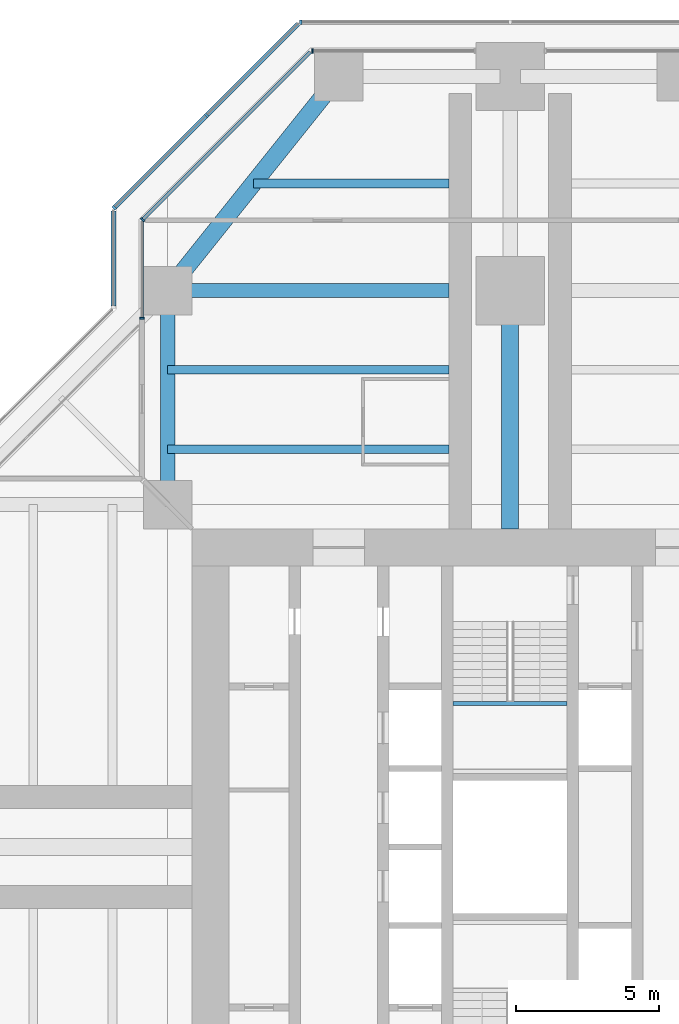
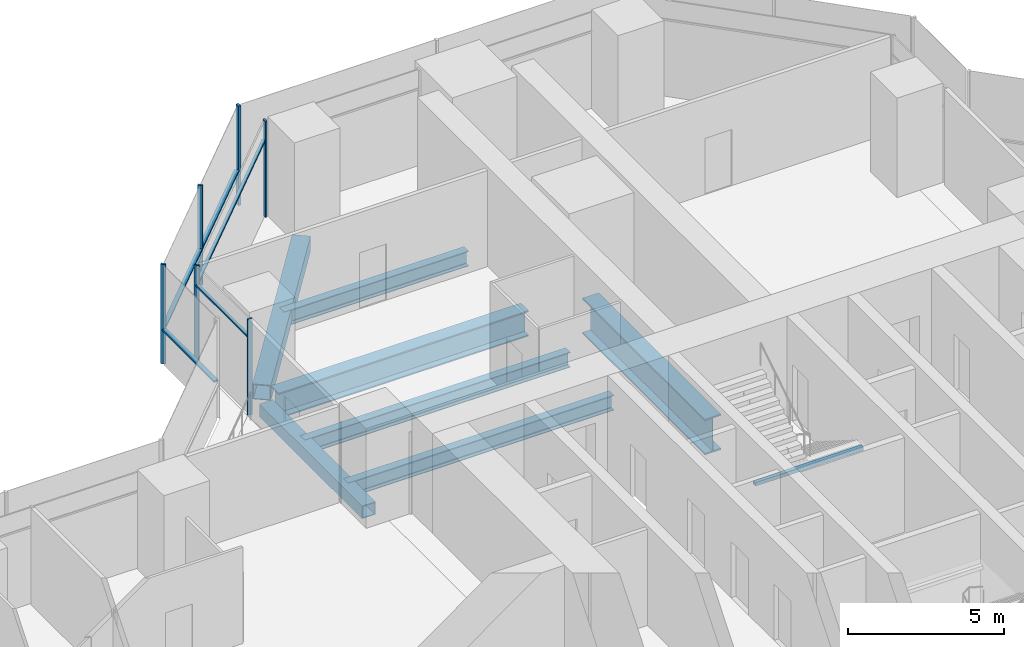
# One storey, part 8 of 19: 11 members, 8 beams, 6 elements without a shape of their own.
"""IFC4 building model written with IfcOpenShell, lengths in metres."""

from ifc_helpers import new_model, si_unit, direction, frame, origin, origin_2d, place, context, subcontext, project, spatial, rectangle, hollow_rectangle, i_section, extrude, material, material_profile, profile_set, type_object, element, aggregate, save


model = new_model("IFC4")

# Units and contexts
model_context = context("Model", 3, precision=1e-05, world=origin(), true_north=direction((0.0, 1.0)))
body_context = subcontext(model_context, "Body", "Model", "MODEL_VIEW")
ifc_project = project(units=[si_unit("LENGTHUNIT", "METRE"), si_unit("AREAUNIT", "SQUARE_METRE"), si_unit("VOLUMEUNIT", "CUBIC_METRE"), si_unit("PLANEANGLEUNIT", "RADIAN"), si_unit("MASSUNIT", "GRAM", prefix="KILO")], contexts=[model_context])

# Site, building, storey
site_placement = place(None, origin())
site = spatial("IfcSite", under=ifc_project, at=site_placement, CompositionType="ELEMENT")
building_placement = place(site_placement, origin())
building = spatial("IfcBuilding", under=site, at=building_placement, Name="Mizan Broadcast Tower", CompositionType="ELEMENT")
storey_placement = place(building_placement, frame((0.0, 0.0, 167.10009765625)))
storey = spatial("IfcBuildingStorey", under=building, at=storey_placement, Name="L38", CompositionType="ELEMENT", Elevation=167.10009765625)

# Beams
ifc_material_1 = material(Name="Steel S355", Category="steel")
ifc_material_profile_1 = material_profile(ifc_material_1, hollow_rectangle(XDim=0.5, YDim=0.5, WallThickness=0.030029296875, at=origin_2d()), Name="BOX 500x500x30")
ifc_profile_set_1 = profile_set([ifc_material_profile_1], Name="Steel S355")
beam_type_1 = type_object("IfcBeamType", Name="EDGE BEAM BOX 500x500x30", PredefinedType="SPANDREL", material=ifc_profile_set_1)
beam_1_placement = place(storey_placement, frame((-12.0, 12.449951171875, -0.380126953125), z_axis=(0.0, 1.0, 0.0), x_axis=(-1.0, 0.0, 0.0)))
element("IfcBeam", 1, at=beam_1_placement, inside=storey, type_object=beam_type_1, Name="Edge beam BOX 500x500x30 L38 north arm", PredefinedType="SPANDREL", context=body_context, shape_type="SweptSolid", body=[
    extrude(hollow_rectangle(XDim=0.5, YDim=0.5, WallThickness=0.030029296875, at=origin_2d()), origin(), (0.0, 0.0, 1.0), 6.60009765625),
])
ifc_material_2 = material(Name="Steel S355", Category="steel")
ifc_material_profile_2 = material_profile(ifc_material_2, hollow_rectangle(XDim=0.60009765625, YDim=0.60009765625, WallThickness=0.030029296875, at=origin_2d()), Name="BOX 600x600x30")
ifc_profile_set_2 = profile_set([ifc_material_profile_2], Name="Steel S355")
beam_type_2 = type_object("IfcBeamType", Name="EDGE BEAM BOX 600x600x30", PredefinedType="SPANDREL", material=ifc_profile_set_2)
beam_2_placement = place(storey_placement, frame((-11.639892578125, 19.949951171875, -0.43017578125), z_axis=(0.624673911726, 0.780885717636, 0.0), x_axis=(-0.780885717636, 0.624673911726, 0.0)))
element("IfcBeam", 2, at=beam_2_placement, inside=storey, type_object=beam_type_2, Name="Edge beam BOX 600x600x30 L38 north arm", PredefinedType="SPANDREL", context=body_context, shape_type="SweptSolid", body=[
    extrude(hollow_rectangle(XDim=0.60009765625, YDim=0.60009765625, WallThickness=0.030029296875, at=origin_2d()), origin(), (0.0, 0.0, 1.0), 8.4521484375),
])
ifc_material_3 = material(Name="Steel S460", Category="steel")
ifc_material_profile_3 = material_profile(ifc_material_3, i_section(OverallWidth=0.5, OverallDepth=1.0, WebThickness=0.02490234375, FlangeThickness=0.050048828125, at=origin_2d()), Name="WPG 1000x500")
ifc_profile_set_3 = profile_set([ifc_material_profile_3], Name="Steel S460")
beam_type_3 = type_object("IfcBeamType", Name="GIRDER WPG 1000x500", PredefinedType="BEAM", material=ifc_profile_set_3)
beam_3_placement = place(storey_placement, frame((-11.408935546875, 19.5, -0.630126953125), z_axis=(1.0, 0.0, 0.0), x_axis=(0.0, 1.0, 0.0)))
element("IfcBeam", 3, at=beam_3_placement, inside=storey, type_object=beam_type_3, Name="Girder WPG 1000x500 L38 north arm", PredefinedType="BEAM", context=body_context, shape_type="SweptSolid", body=[
    extrude(i_section(OverallWidth=0.5, OverallDepth=1.0, WebThickness=0.02490234375, FlangeThickness=0.050048828125, at=origin_2d()), origin(), (0.0, 0.0, 1.0), 9.259033203125),
])
ifc_material_4 = material(Name="Steel S460", Category="steel")
ifc_material_profile_4 = material_profile(ifc_material_4, i_section(OverallWidth=0.60009765625, OverallDepth=1.39990234375, WebThickness=0.02490234375, FlangeThickness=0.06005859375, at=origin_2d()), Name="WPG 1400x600")
ifc_profile_set_4 = profile_set([ifc_material_profile_4], Name="Steel S460")
beam_type_4 = type_object("IfcBeamType", Name="GIRDER WPG 1400x600", PredefinedType="BEAM", material=ifc_profile_set_4)
beam_4_placement = place(storey_placement, frame((0.0, 11.14990234375, -0.830078125), z_axis=(0.0, 1.0, 0.0), x_axis=(-1.0, 0.0, 0.0)))
element("IfcBeam", 4, at=beam_4_placement, inside=storey, type_object=beam_type_4, Name="Girder WPG 1400x600 L38 north arm", PredefinedType="BEAM", context=body_context, shape_type="SweptSolid", body=[
    extrude(i_section(OverallWidth=0.60009765625, OverallDepth=1.39990234375, WebThickness=0.02490234375, FlangeThickness=0.06005859375, at=origin_2d()), origin(), (0.0, 0.0, 1.0), 7.84912109375),
])

# Curtain wall, member
ifc_material_5 = material(Name="Aluminium framed glazing", Category="aluminium")
curtain_wall_type_1 = type_object("IfcCurtainWallType", Name="INNER SKIN MID ZONE", PredefinedType="USERDEFINED", material=ifc_material_5)
curtain_wall_1_placement = place(storey_placement, origin())
curtain_wall_1 = element("IfcCurtainWall", 5, at=curtain_wall_1_placement, inside=storey, type_object=curtain_wall_type_1, Name="Inner skin mid zone L38 N end", ObjectType="INNER SKIN MID ZONE", PredefinedType="USERDEFINED")
ifc_material_6 = material(Name="Aluminium, pale anodised", Category="aluminium")
ifc_material_profile_5 = material_profile(ifc_material_6, rectangle(XDim=0.159912109375, YDim=0.06005859375, at=origin_2d()), Name="MULLION 160x60")
ifc_profile_set_5 = profile_set([ifc_material_profile_5], Name="Aluminium, pale anodised")
member_type_1 = type_object("IfcMemberType", Name="INNER SKIN MULLION 60x160", PredefinedType="MULLION", material=ifc_profile_set_5)
member_1_placement = place(storey_placement, frame((-6.928466796875, 27.89990234375, 0.0), z_axis=(0.0, 0.0, 1.0), x_axis=(0.0, -1.0, 0.0)))
member_1 = element("IfcMember", 6, at=member_1_placement, type_object=member_type_1, Name="Inner skin mid zone L38 N end mullion 2", PredefinedType="MULLION", context=body_context, shape_type="SweptSolid", body=[
    extrude(rectangle(XDim=0.159912109375, YDim=0.06005859375, at=origin_2d()), origin(), (0.0, 0.0, 1.0), 3.77001953125),
])
aggregate(curtain_wall_1, [member_1])

curtain_wall_2_placement = place(storey_placement, origin())
curtain_wall_2 = element("IfcCurtainWall", 7, at=curtain_wall_2_placement, inside=storey, type_object=curtain_wall_type_1, Name="Inner skin mid zone L38 N chamfer", ObjectType="INNER SKIN MID ZONE", PredefinedType="USERDEFINED")
member_2_placement = place(storey_placement, frame((-12.87890625, 21.979736328125, 0.0), z_axis=(0.0, 0.0, 1.0), x_axis=(0.707106781187, -0.707106781187, 0.0)))
member_2 = element("IfcMember", 8, at=member_2_placement, type_object=member_type_1, Name="Inner skin mid zone L38 N chamfer mullion 2", PredefinedType="MULLION", context=body_context, shape_type="SweptSolid", body=[
    extrude(rectangle(XDim=0.159912109375, YDim=0.06005859375, at=origin_2d()), origin(), (0.0, 0.0, 1.0), 3.77001953125),
])

curtain_wall_3_placement = place(storey_placement, origin())
curtain_wall_3 = element("IfcCurtainWall", 9, at=curtain_wall_3_placement, inside=storey, type_object=curtain_wall_type_1, Name="Inner skin mid zone L38 N side", ObjectType="INNER SKIN MID ZONE", PredefinedType="USERDEFINED")
member_3_placement = place(storey_placement, frame((-12.89990234375, 18.530029296875, 0.0), z_axis=(0.0, 0.0, 1.0), x_axis=(1.0, 0.0, 0.0)))
member_3 = element("IfcMember", 10, at=member_3_placement, type_object=member_type_1, Name="Inner skin mid zone L38 N side mullion 2", PredefinedType="MULLION", context=body_context, shape_type="SweptSolid", body=[
    extrude(rectangle(XDim=0.159912109375, YDim=0.06005859375, at=origin_2d()), origin(), (0.0, 0.0, 1.0), 3.77001953125),
])

# Member
ifc_material_7 = material(Name="Aluminium, pale anodised", Category="aluminium")
ifc_material_profile_6 = material_profile(ifc_material_7, rectangle(XDim=0.1201171875, YDim=0.06005859375, at=origin_2d()), Name="TRANSOM 120x60")
ifc_profile_set_6 = profile_set([ifc_material_profile_6], Name="Aluminium, pale anodised")
member_type_2 = type_object("IfcMemberType", Name="INNER SKIN TRANSOM 60x120", PredefinedType="USERDEFINED", material=ifc_profile_set_6)
member_4_placement = place(storey_placement, frame((-7.0009765625, 27.857666015625, 3.02978515625), z_axis=(-0.707106781187, -0.707106781187, 0.0), x_axis=(0.707106781187, -0.707106781187, 0.0)))
member_4 = element("IfcMember", 11, at=member_4_placement, type_object=member_type_2, Name="Inner skin mid zone L38 N chamfer transom 1.1", ObjectType="TRANSOM", PredefinedType="USERDEFINED", context=body_context, shape_type="SweptSolid", body=[
    extrude(rectangle(XDim=0.1201171875, YDim=0.06005859375, at=origin_2d()), origin(), (0.0, 0.0, 1.0), 8.28271484375),
])

aggregate(curtain_wall_2, [member_2, member_4])

member_5_placement = place(storey_placement, frame((-12.89990234375, 21.898681640625, 3.02978515625), z_axis=(0.0, -1.0, 0.0), x_axis=(1.0, 0.0, 0.0)))
member_5 = element("IfcMember", 12, at=member_5_placement, type_object=member_type_2, Name="Inner skin mid zone L38 N side transom 1.1", ObjectType="TRANSOM", PredefinedType="USERDEFINED", context=body_context, shape_type="SweptSolid", body=[
    extrude(rectangle(XDim=0.1201171875, YDim=0.06005859375, at=origin_2d()), origin(), (0.0, 0.0, 1.0), 3.338623046875),
])

aggregate(curtain_wall_3, [member_3, member_5])

# Beam
ifc_material_8 = material(Name="Steel S355", Category="steel")
ifc_material_profile_7 = material_profile(ifc_material_8, hollow_rectangle(XDim=0.14990234375, YDim=0.14990234375, WallThickness=0.008056640625, InnerFilletRadius=0.008056640625, OuterFilletRadius=0.011962890625, at=origin_2d()), Name="SHS 150x150x8")
ifc_profile_set_7 = profile_set([ifc_material_profile_7], Name="Steel S355")
beam_type_5 = type_object("IfcBeamType", Name="LANDING TRIMMER SHS 150x150x8", PredefinedType="BEAM", material=ifc_profile_set_7)
beam_5_placement = place(storey_placement, frame((2.0, 5.02490234375, 1.6748046875), z_axis=(-1.0, 0.0, 0.0), x_axis=(0.0, -1.0, 0.0)))
element("IfcBeam", 13, at=beam_5_placement, inside=storey, type_object=beam_type_5, Name="Stair B landing trimmer L38", PredefinedType="BEAM", context=body_context, shape_type="SweptSolid", body=[
    extrude(hollow_rectangle(XDim=0.14990234375, YDim=0.14990234375, WallThickness=0.008056640625, InnerFilletRadius=0.008056640625, OuterFilletRadius=0.011962890625, at=origin_2d()), origin(), (0.0, 0.0, 1.0), 4.0),
])

# Curtain wall, member
ifc_material_9 = material(Name="Aluminium framed glazing", Category="aluminium")
curtain_wall_type_2 = type_object("IfcCurtainWallType", Name="OUTER SKIN", PredefinedType="USERDEFINED", material=ifc_material_9)
curtain_wall_4_placement = place(storey_placement, origin())
curtain_wall_4 = element("IfcCurtainWall", 14, at=curtain_wall_4_placement, inside=storey, type_object=curtain_wall_type_2, Name="Outer skin L38 N end", ObjectType="OUTER SKIN", PredefinedType="USERDEFINED")
ifc_material_10 = material(Name="Aluminium, pale anodised", Category="aluminium")
ifc_material_profile_8 = material_profile(ifc_material_10, rectangle(XDim=0.159912109375, YDim=0.080078125, at=origin_2d()), Name="MULLION 160x80")
ifc_profile_set_8 = profile_set([ifc_material_profile_8], Name="Aluminium, pale anodised")
member_type_3 = type_object("IfcMemberType", Name="OUTER SKIN MULLION 80x160", PredefinedType="MULLION", material=ifc_profile_set_8)
member_6_placement = place(storey_placement, frame((-7.332763671875, 28.89990234375, 0.0), z_axis=(0.0, 0.0, 1.0), x_axis=(0.0, -1.0, 0.0)))
member_6 = element("IfcMember", 15, at=member_6_placement, type_object=member_type_3, Name="Outer skin L38 N end mullion 3", PredefinedType="MULLION", context=body_context, shape_type="SweptSolid", body=[
    extrude(rectangle(XDim=0.159912109375, YDim=0.080078125, at=origin_2d()), origin(), (0.0, 0.0, 1.0), 3.89990234375),
])
aggregate(curtain_wall_4, [member_6])

# Curtain wall, members
curtain_wall_5_placement = place(storey_placement, origin())
curtain_wall_5 = element("IfcCurtainWall", 16, at=curtain_wall_5_placement, inside=storey, type_object=curtain_wall_type_2, Name="Outer skin L38 N chamfer", ObjectType="OUTER SKIN", PredefinedType="USERDEFINED")
member_7_placement = place(storey_placement, frame((-10.636474609375, 25.636474609375, 0.0), z_axis=(0.0, 0.0, 1.0), x_axis=(0.707106781187, -0.707106781187, 0.0)))
member_7 = element("IfcMember", 17, at=member_7_placement, type_object=member_type_3, Name="Outer skin L38 N chamfer mullion 2", PredefinedType="MULLION", context=body_context, shape_type="SweptSolid", body=[
    extrude(rectangle(XDim=0.159912109375, YDim=0.080078125, at=origin_2d()), origin(), (0.0, 0.0, 1.0), 3.89990234375),
])
member_8_placement = place(storey_placement, frame((-13.871826171875, 22.401123046875, 0.0), z_axis=(0.0, 0.0, 1.0), x_axis=(0.707106781187, -0.707106781187, 0.0)))
member_8 = element("IfcMember", 18, at=member_8_placement, type_object=member_type_3, Name="Outer skin L38 N chamfer mullion 3", PredefinedType="MULLION", context=body_context, shape_type="SweptSolid", body=[
    extrude(rectangle(XDim=0.159912109375, YDim=0.080078125, at=origin_2d()), origin(), (0.0, 0.0, 1.0), 3.89990234375),
])
ifc_material_11 = material(Name="Aluminium, pale anodised", Category="aluminium")
ifc_material_profile_9 = material_profile(ifc_material_11, rectangle(XDim=0.159912109375, YDim=0.06005859375, at=origin_2d()), Name="TRANSOM 160x60")
ifc_profile_set_9 = profile_set([ifc_material_profile_9], Name="Aluminium, pale anodised")
member_type_4 = type_object("IfcMemberType", Name="OUTER SKIN TRANSOM 60x160", PredefinedType="USERDEFINED", material=ifc_profile_set_9)
member_9_placement = place(storey_placement, frame((-7.429443359375, 28.843505859375, 1.39990234375), z_axis=(-0.707106781187, -0.707106781187, 0.0), x_axis=(0.707106781187, -0.707106781187, 0.0)))
member_9 = element("IfcMember", 19, at=member_9_placement, type_object=member_type_4, Name="Outer skin L38 N chamfer transom 1.1", ObjectType="TRANSOM", PredefinedType="USERDEFINED", context=body_context, shape_type="SweptSolid", body=[
    extrude(rectangle(XDim=0.159912109375, YDim=0.06005859375, at=origin_2d()), origin(), (0.0, 0.0, 1.0), 4.495361328125),
])
member_10_placement = place(storey_placement, frame((-10.664794921875, 25.608154296875, 1.39990234375), z_axis=(-0.707106781187, -0.707106781187, 0.0), x_axis=(0.707106781187, -0.707106781187, 0.0)))
member_10 = element("IfcMember", 20, at=member_10_placement, type_object=member_type_4, Name="Outer skin L38 N chamfer transom 2.1", ObjectType="TRANSOM", PredefinedType="USERDEFINED", context=body_context, shape_type="SweptSolid", body=[
    extrude(rectangle(XDim=0.159912109375, YDim=0.06005859375, at=origin_2d()), origin(), (0.0, 0.0, 1.0), 4.495361328125),
])
aggregate(curtain_wall_5, [member_7, member_8, member_9, member_10])

# Curtain wall, member
curtain_wall_6_placement = place(storey_placement, origin())
curtain_wall_6 = element("IfcCurtainWall", 21, at=curtain_wall_6_placement, inside=storey, type_object=curtain_wall_type_2, Name="Outer skin L38 N side", ObjectType="OUTER SKIN", PredefinedType="USERDEFINED")
member_11_placement = place(storey_placement, frame((-13.89990234375, 22.292724609375, 1.39990234375), z_axis=(0.0, -1.0, 0.0), x_axis=(1.0, 0.0, 0.0)))
member_11 = element("IfcMember", 22, at=member_11_placement, type_object=member_type_4, Name="Outer skin L38 N side transom 1.1", ObjectType="TRANSOM", PredefinedType="USERDEFINED", context=body_context, shape_type="SweptSolid", body=[
    extrude(rectangle(XDim=0.159912109375, YDim=0.06005859375, at=origin_2d()), origin(), (0.0, 0.0, 1.0), 3.33984375),
])
aggregate(curtain_wall_6, [member_11])

# Beams
ifc_material_12 = material(Name="Steel S355", Category="steel")
ifc_material_profile_10 = material_profile(ifc_material_12, i_section(OverallWidth=0.300048828125, OverallDepth=0.590087890625, WebThickness=0.012939453125, FlangeThickness=0.02490234375, FilletRadius=0.027099609375, at=origin_2d()), Name="HEA 600")
ifc_profile_set_10 = profile_set([ifc_material_profile_10], Name="Steel S355")
beam_type_6 = type_object("IfcBeamType", Name="SECONDARY BEAM HEA 600", PredefinedType="JOIST", material=ifc_profile_set_10)
for number, where, z_axis, x_axis, name in (
    (23, (-12.0, 13.933349609375, -0.425048828125), (1.0, 0.0, 0.0), (0.0, 1.0, 0.0), "Secondary beam HEA 600 L38 north arm"),
    (24, (-12.0, 16.716552734375, -0.425048828125), (1.0, 0.0, 0.0), (0.0, 1.0, 0.0), "Secondary beam HEA 600 L38 north arm"),
):
    element("IfcBeam", number, at=place(storey_placement, frame(where, z_axis=z_axis, x_axis=x_axis)), inside=storey, type_object=beam_type_6, Name=name, PredefinedType="JOIST", context=body_context, shape_type="SweptSolid", body=[
        extrude(i_section(OverallWidth=0.300048828125, OverallDepth=0.590087890625, WebThickness=0.012939453125, FlangeThickness=0.02490234375, FilletRadius=0.027099609375, at=origin_2d()), origin(), (0.0, 0.0, 1.0), 9.85009765625),
    ])
beam_6_placement = place(storey_placement, frame((-9.0, 23.25, -0.425048828125), z_axis=(1.0, 0.0, 0.0), x_axis=(0.0, 1.0, 0.0)))
element("IfcBeam", 25, at=beam_6_placement, inside=storey, type_object=beam_type_6, Name="Secondary beam HEA 600 L38 north arm", PredefinedType="JOIST", context=body_context, shape_type="SweptSolid", body=[
    extrude(i_section(OverallWidth=0.300048828125, OverallDepth=0.590087890625, WebThickness=0.012939453125, FlangeThickness=0.02490234375, FilletRadius=0.027099609375, at=origin_2d()), origin(), (0.0, 0.0, 1.0), 6.85009765625),
])

save(model, "model.ifc")
